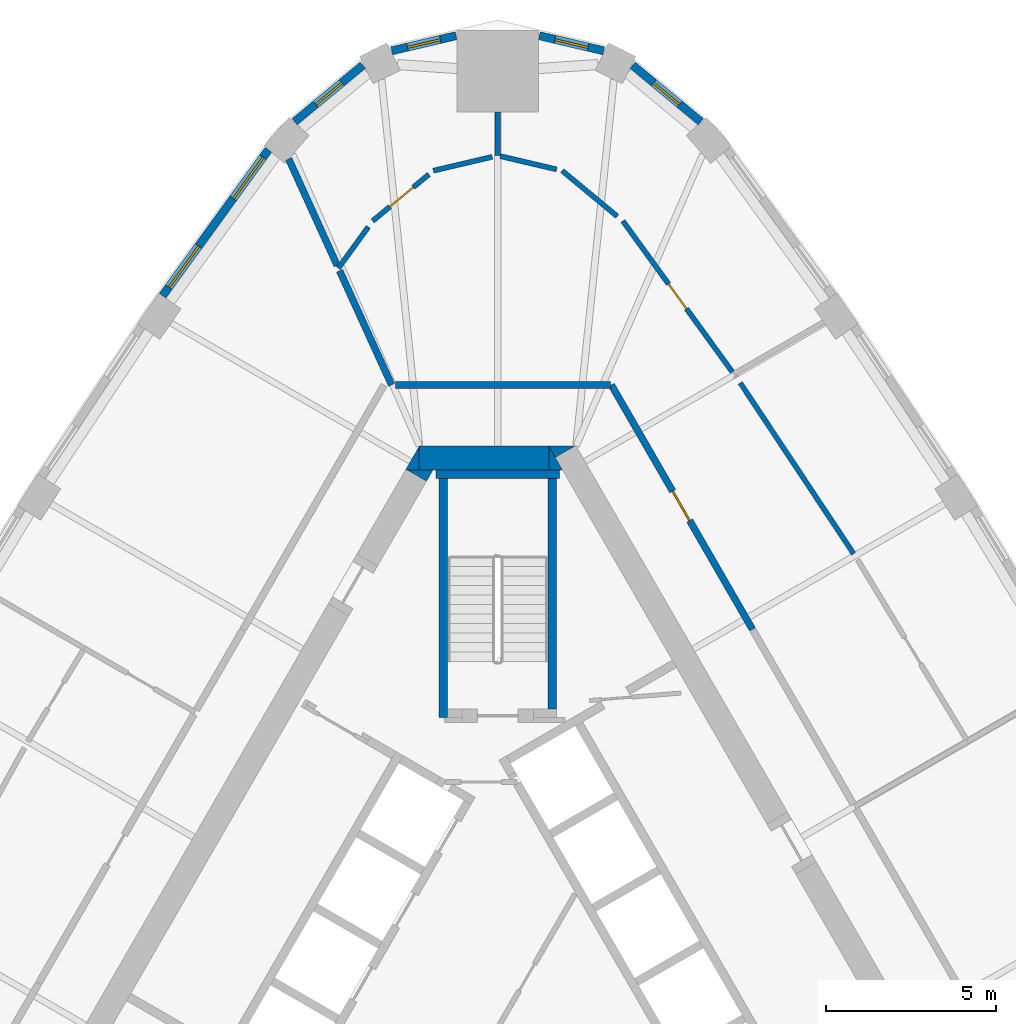
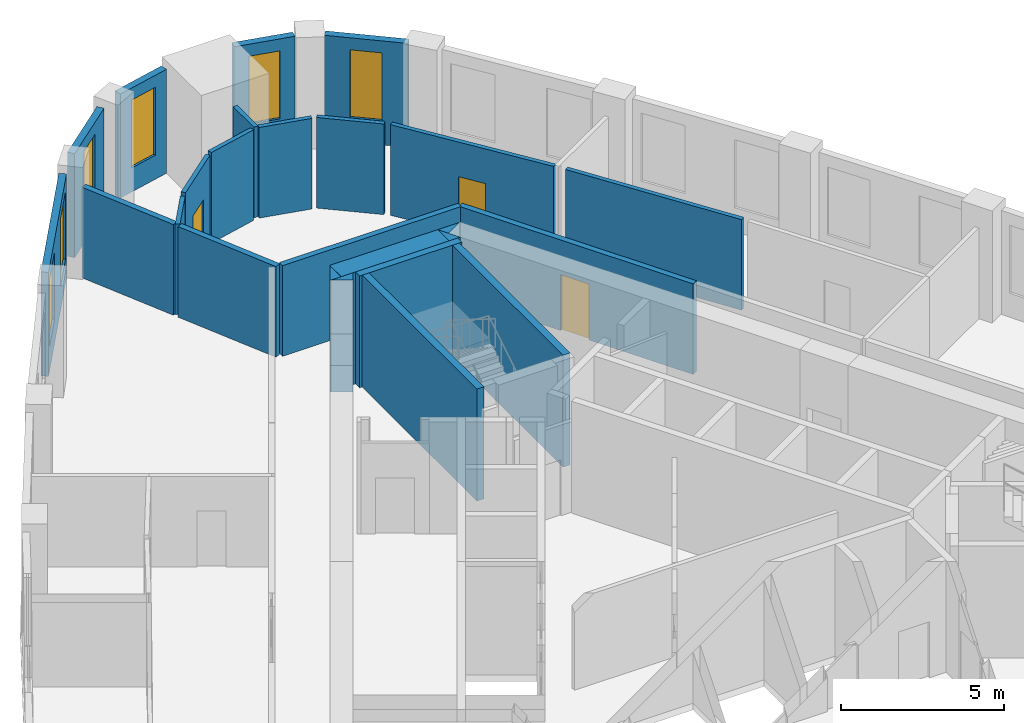
# One storey, part 8 of 11: 25 walls, 6 windows, 3 doors, 9 openings.
"""IFC4 building model written with IfcOpenShell, lengths in metres."""

from ifc_helpers import new_model, si_unit, direction, frame, frame_2d, origin, place, context, subcontext, project, spatial, polyline, rectangle, outline, extrude, material, layer, layer_set, type_object, element, fill, save


model = new_model("IFC4")

# Units and contexts
model_context = context("Model", 3, precision=1e-05, world=origin(), true_north=direction((0.0, 1.0)))
body_context = subcontext(model_context, "Body", "Model", "MODEL_VIEW")
ifc_project = project(units=[si_unit("LENGTHUNIT", "METRE"), si_unit("AREAUNIT", "SQUARE_METRE"), si_unit("VOLUMEUNIT", "CUBIC_METRE"), si_unit("PLANEANGLEUNIT", "RADIAN"), si_unit("MASSUNIT", "GRAM", prefix="KILO")], contexts=[model_context])

# Site, building, storey
site_placement = place(None, origin())
site = spatial("IfcSite", under=ifc_project, at=site_placement, CompositionType="ELEMENT")
building_placement = place(site_placement, origin())
building = spatial("IfcBuilding", under=site, at=building_placement, Name="Mestral Congress Tower", CompositionType="ELEMENT")
storey_placement = place(building_placement, frame((0.0, 0.0, 252.0)))
storey = spatial("IfcBuildingStorey", under=building, at=storey_placement, Name="L59", CompositionType="ELEMENT", Elevation=252.0)

# Walls
ifc_material_1 = material(Name="Concrete C60/75", Category="concrete")
ifc_layer_1 = layer(ifc_material_1, 0.699951171875)
ifc_layer_set_1 = layer_set([ifc_layer_1], Name="Concrete C60/75")
wall_type_1 = type_object("IfcWallType", Name="Core wall RC 700", PredefinedType="SOLIDWALL", material=ifc_layer_set_1)
placement = place(storey_placement, origin())
element("IfcWall", 1, at=placement, inside=storey, type_object=wall_type_1, Name="L59 core wall", PredefinedType="SOLIDWALL", context=body_context, shape_type="SweptSolid", body=[
    extrude(outline(polyline([(1.501220703125, 16.699951171875), (2.277099609375, 16.699951171875), (1.695068359375, 16.364013671875), (1.501220703125, 16.699951171875)])), origin(), (0.0, 0.0, 1.0), 4.199951171875),
])
wall_2_placement = place(storey_placement, frame((-2.323486328125, 16.35009765625, 0.0), z_axis=(0.0, 0.0, 1.0), x_axis=(1.0, 0.0, 0.0)))
element("IfcWall", 2, at=wall_2_placement, inside=storey, type_object=wall_type_1, Name="L59 core wall", PredefinedType="SOLIDWALL", context=body_context, shape_type="SweptSolid", body=[
    extrude(rectangle(XDim=3.828857421875, YDim=0.699951171875, at=frame_2d((1.91455078125, 0.0))), origin(), (0.0, 0.0, 1.0), 4.199951171875),
])
element("IfcWall", 3, at=placement, inside=storey, type_object=wall_type_1, Name="L59 core wall", PredefinedType="SOLIDWALL", context=body_context, shape_type="SweptSolid", body=[
    extrude(outline(polyline([(1.9052734375, 16.0), (1.50732421875, 16.0), (1.50732421875, 16.689208984375), (1.9052734375, 16.0)])), origin(), (0.0, 0.0, 1.0), 4.199951171875),
])
element("IfcWall", 4, at=placement, inside=storey, type_object=wall_type_1, Name="L59 core wall", PredefinedType="SOLIDWALL", context=body_context, shape_type="SweptSolid", body=[
    extrude(outline(polyline([(-2.71337890625, 16.0), (-2.325439453125, 16.672119140625), (-2.325439453125, 16.0), (-2.71337890625, 16.0)])), origin(), (0.0, 0.0, 1.0), 4.199951171875),
])
element("IfcWall", 5, at=placement, inside=storey, type_object=wall_type_1, Name="L59 core wall", PredefinedType="SOLIDWALL", context=body_context, shape_type="SweptSolid", body=[
    extrude(outline(polyline([(-1.9052734375, 16.0), (-2.099365234375, 15.6640625), (-2.681396484375, 16.0), (-1.9052734375, 16.0)])), origin(), (0.0, 0.0, 1.0), 4.199951171875),
])

# Wall, opening, window
ifc_material_2 = material(Name="Precast concrete C40/50 with limestone facing", Category="masonry")
ifc_layer_2 = layer(ifc_material_2, 0.239990234375)
ifc_layer_set_2 = layer_set([ifc_layer_2], Name="Precast concrete C40/50 with limestone facing")
wall_type_2 = type_object("IfcWallType", Name="Facade stone wall 240", PredefinedType="SOLIDWALL", material=ifc_layer_set_2)
wall_6_placement = place(storey_placement, frame((5.986572265625, 26.259033203125, 0.0), z_axis=(0.0, 0.0, 1.0), x_axis=(-0.769990037733, 0.638055908045, 0.0)))
wall_6 = element("IfcWall", 6, at=wall_6_placement, inside=storey, type_object=wall_type_2, Name="Facade wall K1-0", PredefinedType="SOLIDWALL", context=body_context, shape_type="SweptSolid", body=[
    extrude(rectangle(XDim=2.609130859375, YDim=0.239990234375, at=frame_2d((1.3046875, 0.0))), origin(), (0.0, 0.0, 1.0), 3.89990234375),
])
opening_1_placement = place(wall_6_placement, frame((0.8046875, 0.0, 0.89990234375)))
opening_1 = element("IfcOpeningElement", 7, at=opening_1_placement, cuts=wall_6, Name="Opening W5", PredefinedType="OPENING", context=body_context, shape_type="SweptSolid", body=[
    extrude(rectangle(XDim=1.0, YDim=2.550048828125, at=frame_2d((0.5, 1.27490234375))), frame((0.0, 0.1298828125, 0.0), z_axis=(0.0, -1.0, 0.0), x_axis=(1.0, 0.0, 0.0)), (0.0, 0.0, 1.0), 0.260009765625),
])
ifc_material_3 = material(Name="Clear low-emissivity double glazing", Category="glass")
window_type_1 = type_object("IfcWindowType", Name="Facade punched window 1000 x 2550 sill 900", PartitioningType="SINGLE_PANEL", PredefinedType="WINDOW", material=ifc_material_3)
window_1_placement = place(opening_1_placement, origin())
window_1 = element("IfcWindow", 8, at=window_1_placement, inside=storey, type_object=window_type_1, Name="Window K1-0", OverallHeight=2.550048828125, OverallWidth=1.0, PartitioningType="SINGLE_PANEL", PredefinedType="WINDOW", context=body_context, shape_type="SweptSolid", body=[
    extrude(rectangle(XDim=1.0, YDim=2.550048828125, at=frame_2d((0.5, 1.27490234375))), frame((0.0, 0.0400390625, 0.0), z_axis=(0.0, -1.0, 0.0), x_axis=(1.0, 0.0, 0.0)), (0.0, 0.0, 1.0), 0.06005859375),
])
fill(opening_1, window_1)

wall_7_placement = place(storey_placement, frame((3.123046875, 28.3486328125, 0.0), z_axis=(0.0, 0.0, 1.0), x_axis=(-0.973515706272, 0.228620142686, 0.0)))
wall_7 = element("IfcWall", 9, at=wall_7_placement, inside=storey, type_object=wall_type_2, Name="Facade wall K1-1", PredefinedType="SOLIDWALL", context=body_context, shape_type="SweptSolid", body=[
    extrude(rectangle(XDim=1.94775390625, YDim=0.239990234375, at=frame_2d((0.973876953125, 0.0))), origin(), (0.0, 0.0, 1.0), 3.89990234375),
])
opening_2_placement = place(wall_7_placement, frame((0.47412109375, 0.0, 0.89990234375)))
opening_2 = element("IfcOpeningElement", 10, at=opening_2_placement, cuts=wall_7, Name="Opening W5", PredefinedType="OPENING", context=body_context, shape_type="SweptSolid", body=[
    extrude(rectangle(XDim=1.0, YDim=2.550048828125, at=frame_2d((0.5, 1.27490234375))), frame((0.0, 0.1298828125, 0.0), z_axis=(0.0, -1.0, 0.0), x_axis=(1.0, 0.0, 0.0)), (0.0, 0.0, 1.0), 0.260009765625),
])
window_2_placement = place(opening_2_placement, origin())
window_2 = element("IfcWindow", 11, at=window_2_placement, inside=storey, type_object=window_type_1, Name="Window K1-1", OverallHeight=2.550048828125, OverallWidth=1.0, PartitioningType="SINGLE_PANEL", PredefinedType="WINDOW", context=body_context, shape_type="SweptSolid", body=[
    extrude(rectangle(XDim=1.0, YDim=2.550048828125, at=frame_2d((0.5, 1.27490234375))), frame((0.0, 0.0400390625, 0.0), z_axis=(0.0, -1.0, 0.0), x_axis=(1.0, 0.0, 0.0)), (0.0, 0.0, 1.0), 0.06005859375),
])
fill(opening_2, window_2)

wall_8_placement = place(storey_placement, frame((-1.226806640625, 28.7939453125, 0.0), z_axis=(0.0, 0.0, 1.0), x_axis=(-0.973515706272, -0.228620142686, 0.0)))
wall_8 = element("IfcWall", 12, at=wall_8_placement, inside=storey, type_object=wall_type_2, Name="Facade wall K1-2", PredefinedType="SOLIDWALL", context=body_context, shape_type="SweptSolid", body=[
    extrude(rectangle(XDim=1.94775390625, YDim=0.239990234375, at=frame_2d((0.973876953125, 0.0))), origin(), (0.0, 0.0, 1.0), 3.89990234375),
])
opening_3_placement = place(wall_8_placement, frame((0.47412109375, 0.0, 0.89990234375)))
opening_3 = element("IfcOpeningElement", 13, at=opening_3_placement, cuts=wall_8, Name="Opening W5", PredefinedType="OPENING", context=body_context, shape_type="SweptSolid", body=[
    extrude(rectangle(XDim=1.0, YDim=2.550048828125, at=frame_2d((0.5, 1.27490234375))), frame((0.0, 0.1298828125, 0.0), z_axis=(0.0, -1.0, 0.0), x_axis=(1.0, 0.0, 0.0)), (0.0, 0.0, 1.0), 0.260009765625),
])
window_3_placement = place(opening_3_placement, origin())
window_3 = element("IfcWindow", 14, at=window_3_placement, inside=storey, type_object=window_type_1, Name="Window K1-2", OverallHeight=2.550048828125, OverallWidth=1.0, PartitioningType="SINGLE_PANEL", PredefinedType="WINDOW", context=body_context, shape_type="SweptSolid", body=[
    extrude(rectangle(XDim=1.0, YDim=2.550048828125, at=frame_2d((0.5, 1.27490234375))), frame((0.0, 0.0400390625, 0.0), z_axis=(0.0, -1.0, 0.0), x_axis=(1.0, 0.0, 0.0)), (0.0, 0.0, 1.0), 0.06005859375),
])
fill(opening_3, window_3)

wall_9_placement = place(storey_placement, frame((-3.9775390625, 27.923828125, 0.0), z_axis=(0.0, 0.0, 1.0), x_axis=(-0.769990037733, -0.638055908045, 0.0)))
wall_9 = element("IfcWall", 15, at=wall_9_placement, inside=storey, type_object=wall_type_2, Name="Facade wall K1-3", PredefinedType="SOLIDWALL", context=body_context, shape_type="SweptSolid", body=[
    extrude(rectangle(XDim=2.609130859375, YDim=0.239990234375, at=frame_2d((1.3046875, 0.0))), origin(), (0.0, 0.0, 1.0), 3.89990234375),
])
opening_4_placement = place(wall_9_placement, frame((0.8046875, 0.0, 0.89990234375)))
opening_4 = element("IfcOpeningElement", 16, at=opening_4_placement, cuts=wall_9, Name="Opening W5", PredefinedType="OPENING", context=body_context, shape_type="SweptSolid", body=[
    extrude(rectangle(XDim=1.0, YDim=2.550048828125, at=frame_2d((0.5, 1.27490234375))), frame((0.0, 0.1298828125, 0.0), z_axis=(0.0, -1.0, 0.0), x_axis=(1.0, 0.0, 0.0)), (0.0, 0.0, 1.0), 0.260009765625),
])
window_4_placement = place(opening_4_placement, origin())
window_4 = element("IfcWindow", 17, at=window_4_placement, inside=storey, type_object=window_type_1, Name="Window K1-3", OverallHeight=2.550048828125, OverallWidth=1.0, PartitioningType="SINGLE_PANEL", PredefinedType="WINDOW", context=body_context, shape_type="SweptSolid", body=[
    extrude(rectangle(XDim=1.0, YDim=2.550048828125, at=frame_2d((0.5, 1.27490234375))), frame((0.0, 0.0400390625, 0.0), z_axis=(0.0, -1.0, 0.0), x_axis=(1.0, 0.0, 0.0)), (0.0, 0.0, 1.0), 0.06005859375),
])
fill(opening_4, window_4)

# Wall, openings, windows
wall_10_placement = place(storey_placement, frame((-6.760986328125, 25.431884765625, 0.0), z_axis=(0.0, 0.0, 1.0), x_axis=(-0.586998456641, -0.80958805074, 0.0)))
wall_10 = element("IfcWall", 18, at=wall_10_placement, inside=storey, type_object=wall_type_2, Name="Facade wall F2-00", PredefinedType="SOLIDWALL", context=body_context, shape_type="SweptSolid", body=[
    extrude(rectangle(XDim=5.310791015625, YDim=0.239990234375, at=frame_2d((2.6552734375, 0.0))), origin(), (0.0, 0.0, 1.0), 3.89990234375),
])
opening_5_placement = place(wall_10_placement, frame((0.271484375, 0.0, 0.89990234375)))
opening_5 = element("IfcOpeningElement", 19, at=opening_5_placement, cuts=wall_10, Name="Opening W4", PredefinedType="OPENING", context=body_context, shape_type="SweptSolid", body=[
    extrude(rectangle(XDim=1.5, YDim=2.550048828125, at=frame_2d((0.75, 1.27490234375))), frame((0.0, 0.1298828125, 0.0), z_axis=(0.0, -1.0, 0.0), x_axis=(1.0, 0.0, 0.0)), (0.0, 0.0, 1.0), 0.260009765625),
])
opening_6_placement = place(wall_10_placement, frame((3.50439453125, 0.0, 0.89990234375)))
opening_6 = element("IfcOpeningElement", 20, at=opening_6_placement, cuts=wall_10, Name="Opening W4", PredefinedType="OPENING", context=body_context, shape_type="SweptSolid", body=[
    extrude(rectangle(XDim=1.5, YDim=2.550048828125, at=frame_2d((0.75, 1.27490234375))), frame((0.0, 0.1298828125, 0.0), z_axis=(0.0, -1.0, 0.0), x_axis=(1.0, 0.0, 0.0)), (0.0, 0.0, 1.0), 0.260009765625),
])
window_type_2 = type_object("IfcWindowType", Name="Facade punched window 1500 x 2550 sill 900", PartitioningType="SINGLE_PANEL", PredefinedType="WINDOW", material=ifc_material_3)
window_5_placement = place(opening_5_placement, origin())
window_5 = element("IfcWindow", 21, at=window_5_placement, inside=storey, type_object=window_type_2, Name="Window F2-00a", OverallHeight=2.550048828125, OverallWidth=1.5, PartitioningType="SINGLE_PANEL", PredefinedType="WINDOW", context=body_context, shape_type="SweptSolid", body=[
    extrude(rectangle(XDim=1.5, YDim=2.550048828125, at=frame_2d((0.75, 1.27490234375))), frame((0.0, 0.0400390625, 0.0), z_axis=(0.0, -1.0, 0.0), x_axis=(1.0, 0.0, 0.0)), (0.0, 0.0, 1.0), 0.06005859375),
])
fill(opening_5, window_5)
window_6_placement = place(opening_6_placement, origin())
window_6 = element("IfcWindow", 22, at=window_6_placement, inside=storey, type_object=window_type_2, Name="Window F2-00b", OverallHeight=2.550048828125, OverallWidth=1.5, PartitioningType="SINGLE_PANEL", PredefinedType="WINDOW", context=body_context, shape_type="SweptSolid", body=[
    extrude(rectangle(XDim=1.5, YDim=2.550048828125, at=frame_2d((0.75, 1.27490234375))), frame((0.0, 0.0400390625, 0.0), z_axis=(0.0, -1.0, 0.0), x_axis=(1.0, 0.0, 0.0)), (0.0, 0.0, 1.0), 0.06005859375),
])
fill(opening_6, window_6)

# Walls
ifc_material_4 = material(Name="Plasterboard partition on steel studs", Category="steel")
ifc_layer_3 = layer(ifc_material_4, 0.14990234375)
ifc_layer_set_3 = layer_set([ifc_layer_3], Name="Plasterboard partition on steel studs")
wall_type_3 = type_object("IfcWallType", Name="Office partition 150", PredefinedType="PARTITIONING", material=ifc_layer_set_3)
wall_11_placement = place(storey_placement, frame((10.489013671875, 13.52587890625, 0.0), z_axis=(0.0, 0.0, 1.0), x_axis=(-0.552890023891, 0.833254235802, 0.0)))
element("IfcWall", 23, at=wall_11_placement, inside=storey, type_object=wall_type_3, Name="Partition", PredefinedType="PARTITIONING", context=body_context, shape_type="SweptSolid", body=[
    extrude(rectangle(XDim=6.04248046875, YDim=0.14990234375, at=frame_2d((3.021240234375, 0.0))), origin(), (0.0, 0.0, 1.0), 3.39990234375),
])
wall_12_placement = place(storey_placement, frame((0.0, 25.260986328125, 0.0), z_axis=(0.0, 0.0, 1.0), x_axis=(0.0, 1.0, 0.0)))
element("IfcWall", 24, at=wall_12_placement, inside=storey, type_object=wall_type_3, Name="Partition", PredefinedType="PARTITIONING", context=body_context, shape_type="SweptSolid", body=[
    extrude(rectangle(XDim=1.283447265625, YDim=0.14990234375, at=frame_2d((0.6416015625, 0.0))), origin(), (0.0, 0.0, 1.0), 3.39990234375),
])

# Wall, opening, door
wall_13_placement = place(storey_placement, frame((3.688720703125, 23.331787109375, 0.0), z_axis=(0.0, 0.0, 1.0), x_axis=(0.587008354495, -0.809580874128, 0.0)))
wall_13 = element("IfcWall", 25, at=wall_13_placement, inside=storey, type_object=wall_type_3, Name="Partition", PredefinedType="PARTITIONING", context=body_context, shape_type="SweptSolid", body=[
    extrude(rectangle(XDim=5.493408203125, YDim=0.14990234375, at=frame_2d((2.74658203125, 0.0))), origin(), (0.0, 0.0, 1.0), 3.39990234375),
])
opening_7_placement = place(wall_13_placement, frame((2.293701171875, 0.0, 0.0)))
opening_7 = element("IfcOpeningElement", 26, at=opening_7_placement, cuts=wall_13, Name="Opening O10-009", PredefinedType="OPENING", context=body_context, shape_type="SweptSolid", body=[
    extrude(rectangle(XDim=0.89990234375, YDim=2.10009765625, at=frame_2d((0.449951171875, 1.050048828125))), frame((0.0, 0.0849609375, 0.0), z_axis=(0.0, -1.0, 0.0), x_axis=(1.0, 0.0, 0.0)), (0.0, 0.0, 1.0), 0.169921875),
])
ifc_material_5 = material(Name="Timber door set", Category="wood")
door_type_1 = type_object("IfcDoorType", Name="Office door 900x2100", OperationType="SINGLE_SWING_LEFT", PredefinedType="DOOR", material=ifc_material_5)
door_1_placement = place(opening_7_placement, origin())
door_1 = element("IfcDoor", 27, at=door_1_placement, inside=storey, type_object=door_type_1, Name="Door O10-009", OperationType="SINGLE_SWING_LEFT", OverallHeight=2.10009765625, OverallWidth=0.89990234375, PredefinedType="DOOR", context=body_context, shape_type="SweptSolid", body=[
    extrude(rectangle(XDim=0.89990234375, YDim=2.10009765625, at=frame_2d((0.449951171875, 1.050048828125))), frame((0.0, 0.02490234375, 0.0), z_axis=(0.0, -1.0, 0.0), x_axis=(1.0, 0.0, 0.0)), (0.0, 0.0, 1.0), 0.050048828125),
])
fill(opening_7, door_1)

# Walls
wall_14_placement = place(storey_placement, frame((3.523681640625, 23.468505859375, 0.0), z_axis=(0.0, 0.0, 1.0), x_axis=(-0.76998257631, 0.638064912199, 0.0)))
element("IfcWall", 28, at=wall_14_placement, inside=storey, type_object=wall_type_3, Name="Partition", PredefinedType="PARTITIONING", context=body_context, shape_type="SweptSolid", body=[
    extrude(rectangle(XDim=2.10986328125, YDim=0.14990234375, at=frame_2d((1.054931640625, 0.0))), origin(), (0.0, 0.0, 1.0), 3.39990234375),
])
wall_15_placement = place(storey_placement, frame((1.735107421875, 24.853515625, 0.0), z_axis=(0.0, 0.0, 1.0), x_axis=(-0.973544695081, 0.228496666669, 0.0)))
element("IfcWall", 29, at=wall_15_placement, inside=storey, type_object=wall_type_3, Name="Partition", PredefinedType="PARTITIONING", context=body_context, shape_type="SweptSolid", body=[
    extrude(rectangle(XDim=1.705322265625, YDim=0.14990234375, at=frame_2d((0.8525390625, 0.0))), origin(), (0.0, 0.0, 1.0), 3.39990234375),
])
wall_16_placement = place(storey_placement, frame((-0.1640625, 25.222412109375, 0.0), z_axis=(0.0, 0.0, 1.0), x_axis=(-0.973485388336, -0.228749204801, 0.0)))
element("IfcWall", 30, at=wall_16_placement, inside=storey, type_object=wall_type_3, Name="Partition", PredefinedType="PARTITIONING", context=body_context, shape_type="SweptSolid", body=[
    extrude(rectangle(XDim=1.782470703125, YDim=0.14990234375, at=frame_2d((0.89111328125, 0.0))), origin(), (0.0, 0.0, 1.0), 3.39990234375),
])

# Wall, opening, door
wall_17_placement = place(storey_placement, frame((-3.688720703125, 23.331787109375, 0.0), z_axis=(0.0, 0.0, 1.0), x_axis=(0.769991356208, 0.63805431694, 0.0)))
wall_17 = element("IfcWall", 31, at=wall_17_placement, inside=storey, type_object=wall_type_3, Name="Partition", PredefinedType="PARTITIONING", context=body_context, shape_type="SweptSolid", body=[
    extrude(rectangle(XDim=2.15576171875, YDim=0.14990234375, at=frame_2d((1.077880859375, 0.0))), origin(), (0.0, 0.0, 1.0), 3.39990234375),
])
opening_8_placement = place(wall_17_placement, frame((0.655517578125, 0.0, 0.0)))
opening_8 = element("IfcOpeningElement", 32, at=opening_8_placement, cuts=wall_17, Name="Opening O10-010", PredefinedType="OPENING", context=body_context, shape_type="SweptSolid", body=[
    extrude(rectangle(XDim=0.89990234375, YDim=2.10009765625, at=frame_2d((0.449951171875, 1.050048828125))), frame((0.0, 0.0849609375, 0.0), z_axis=(0.0, -1.0, 0.0), x_axis=(1.0, 0.0, 0.0)), (0.0, 0.0, 1.0), 0.169921875),
])
door_2_placement = place(opening_8_placement, origin())
door_2 = element("IfcDoor", 33, at=door_2_placement, inside=storey, type_object=door_type_1, Name="Door O10-010", OperationType="SINGLE_SWING_RIGHT", OverallHeight=2.10009765625, OverallWidth=0.89990234375, PredefinedType="DOOR", context=body_context, shape_type="SweptSolid", body=[
    extrude(rectangle(XDim=0.89990234375, YDim=2.10009765625, at=frame_2d((0.449951171875, 1.050048828125))), frame((0.0, 0.02490234375, 0.0), z_axis=(0.0, -1.0, 0.0), x_axis=(1.0, 0.0, 0.0)), (0.0, 0.0, 1.0), 0.050048828125),
])
fill(opening_8, door_2)

# Walls
wall_18_placement = place(storey_placement, frame((-3.814453125, 23.158447265625, 0.0), z_axis=(0.0, 0.0, 1.0), x_axis=(-0.58694359924, -0.809627822713, 0.0)))
element("IfcWall", 34, at=wall_18_placement, inside=storey, type_object=wall_type_3, Name="Partition", PredefinedType="PARTITIONING", context=body_context, shape_type="SweptSolid", body=[
    extrude(rectangle(XDim=1.501953125, YDim=0.14990234375, at=frame_2d((0.7509765625, 0.0))), origin(), (0.0, 0.0, 1.0), 3.39990234375),
])
ifc_material_6 = material(Name="Dense masonry wall, plastered", Category="masonry")
ifc_layer_4 = layer(ifc_material_6, 0.199951171875)
ifc_layer_set_4 = layer_set([ifc_layer_4], Name="Dense masonry wall, plastered")
wall_type_4 = type_object("IfcWallType", Name="Office tenancy wall 200", PredefinedType="PARTITIONING", material=ifc_layer_set_4)
wall_19_placement = place(storey_placement, frame((-4.731689453125, 22.02099609375, 0.0), z_axis=(0.0, 0.0, 1.0), x_axis=(-0.414330796432, 0.910126359979, 0.0)))
element("IfcWall", 35, at=wall_19_placement, inside=storey, type_object=wall_type_4, Name="Tenancy wall", PredefinedType="PARTITIONING", context=body_context, shape_type="SweptSolid", body=[
    extrude(rectangle(XDim=3.449462890625, YDim=0.199951171875, at=frame_2d((1.724609375, 0.0))), origin(), (0.0, 0.0, 1.0), 3.39990234375),
])
wall_20_placement = place(storey_placement, frame((-3.12890625, 18.5, 0.0), z_axis=(0.0, 0.0, 1.0), x_axis=(-0.414340331393, 0.910122019172, 0.0)))
element("IfcWall", 36, at=wall_20_placement, inside=storey, type_object=wall_type_4, Name="Tenancy wall", PredefinedType="PARTITIONING", context=body_context, shape_type="SweptSolid", body=[
    extrude(rectangle(XDim=3.6962890625, YDim=0.199951171875, at=frame_2d((1.84814453125, 0.0))), origin(), (0.0, 0.0, 1.0), 3.39990234375),
])

# Wall, opening, door
wall_21_placement = place(storey_placement, frame((7.507080078125, 11.297119140625, 0.0), z_axis=(0.0, 0.0, 1.0), x_axis=(-0.499987561347, 0.866032585125, 0.0)))
wall_21 = element("IfcWall", 37, at=wall_21_placement, inside=storey, type_object=wall_type_4, Name="Tenancy wall", PredefinedType="PARTITIONING", context=body_context, shape_type="SweptSolid", body=[
    extrude(rectangle(XDim=8.317138671875, YDim=0.199951171875, at=frame_2d((4.15869140625, 0.0))), origin(), (0.0, 0.0, 1.0), 3.39990234375),
])
opening_9_placement = place(wall_21_placement, frame((3.699951171875, 0.0, 0.0)))
opening_9 = element("IfcOpeningElement", 38, at=opening_9_placement, cuts=wall_21, Name="Opening O10-011", PredefinedType="OPENING", context=body_context, shape_type="SweptSolid", body=[
    extrude(rectangle(XDim=1.0, YDim=2.10009765625, at=frame_2d((0.5, 1.050048828125))), frame((0.0, 0.10986328125, 0.0), z_axis=(0.0, -1.0, 0.0), x_axis=(1.0, 0.0, 0.0)), (0.0, 0.0, 1.0), 0.219970703125),
])
ifc_material_7 = material(Name="Fire-rated timber door set", Category="wood")
door_type_2 = type_object("IfcDoorType", Name="Office tenancy entrance door 1000x2100", OperationType="SINGLE_SWING_LEFT", PredefinedType="DOOR", material=ifc_material_7)
door_3_placement = place(opening_9_placement, origin())
door_3 = element("IfcDoor", 39, at=door_3_placement, inside=storey, type_object=door_type_2, Name="Door O10-011", OperationType="SINGLE_SWING_RIGHT", OverallHeight=2.10009765625, OverallWidth=1.0, PredefinedType="DOOR", context=body_context, shape_type="SweptSolid", body=[
    extrude(rectangle(XDim=1.0, YDim=2.10009765625, at=frame_2d((0.5, 1.050048828125))), frame((0.0, 0.02490234375, 0.0), z_axis=(0.0, -1.0, 0.0), x_axis=(1.0, 0.0, 0.0)), (0.0, 0.0, 1.0), 0.050048828125),
])
fill(opening_9, door_3)

# Walls
wall_22_placement = place(storey_placement, frame((3.318603515625, 18.5, 0.0), z_axis=(0.0, 0.0, 1.0), x_axis=(-1.0, 0.0, 0.0)))
element("IfcWall", 40, at=wall_22_placement, inside=storey, type_object=wall_type_4, Name="Tenancy wall", PredefinedType="PARTITIONING", context=body_context, shape_type="SweptSolid", body=[
    extrude(rectangle(XDim=6.337646484375, YDim=0.199951171875, at=frame_2d((3.1689453125, 0.0))), origin(), (0.0, 0.0, 1.0), 3.39990234375),
])
ifc_layer_5 = layer(ifc_material_1, 0.25)
ifc_layer_set_5 = layer_set([ifc_layer_5], Name="Concrete C60/75")
wall_type_5 = type_object("IfcWallType", Name="Stair wall RC 250", PredefinedType="SOLIDWALL", material=ifc_layer_set_5)
wall_23_placement = place(storey_placement, frame((-1.81689453125, 15.875, 0.0), z_axis=(0.0, 0.0, 1.0), x_axis=(1.0, 0.0, 0.0)))
element("IfcWall", 41, at=wall_23_placement, inside=storey, type_object=wall_type_5, Name="L59 core wall", PredefinedType="SOLIDWALL", context=body_context, shape_type="SweptSolid", body=[
    extrude(rectangle(XDim=3.6337890625, YDim=0.25, at=frame_2d((1.81689453125, 0.0))), origin(), (0.0, 0.0, 1.0), 4.199951171875),
])
wall_24_placement = place(storey_placement, frame((1.60009765625, 8.949951171875, 0.0), z_axis=(0.0, 0.0, 1.0), x_axis=(0.0, 1.0, 0.0)))
element("IfcWall", 42, at=wall_24_placement, inside=storey, type_object=wall_type_5, Name="L59 core wall", PredefinedType="SOLIDWALL", context=body_context, shape_type="SweptSolid", body=[
    extrude(rectangle(XDim=6.800048828125, YDim=0.25, at=frame_2d((3.39990234375, 0.0))), origin(), (0.0, 0.0, 1.0), 4.199951171875),
])
wall_25_placement = place(storey_placement, frame((-1.60009765625, 8.699951171875, 0.0), z_axis=(0.0, 0.0, 1.0), x_axis=(0.0, 1.0, 0.0)))
element("IfcWall", 43, at=wall_25_placement, inside=storey, type_object=wall_type_5, Name="L59 core wall", PredefinedType="SOLIDWALL", context=body_context, shape_type="SweptSolid", body=[
    extrude(rectangle(XDim=7.050048828125, YDim=0.25, at=frame_2d((3.52490234375, 0.0))), origin(), (0.0, 0.0, 1.0), 4.199951171875),
])

save(model, "model.ifc")
